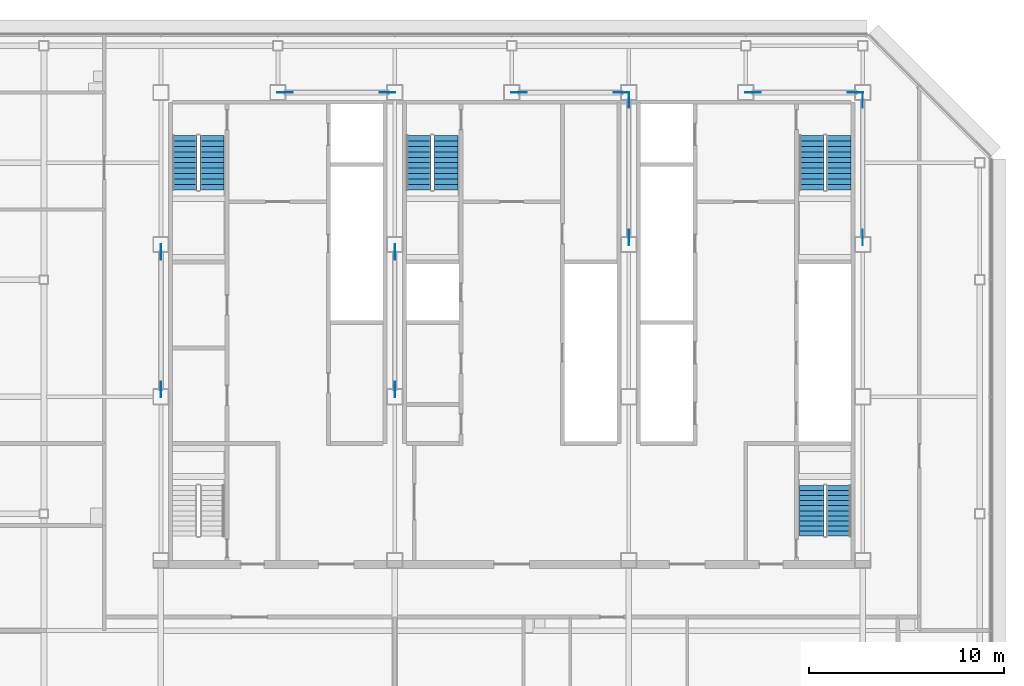
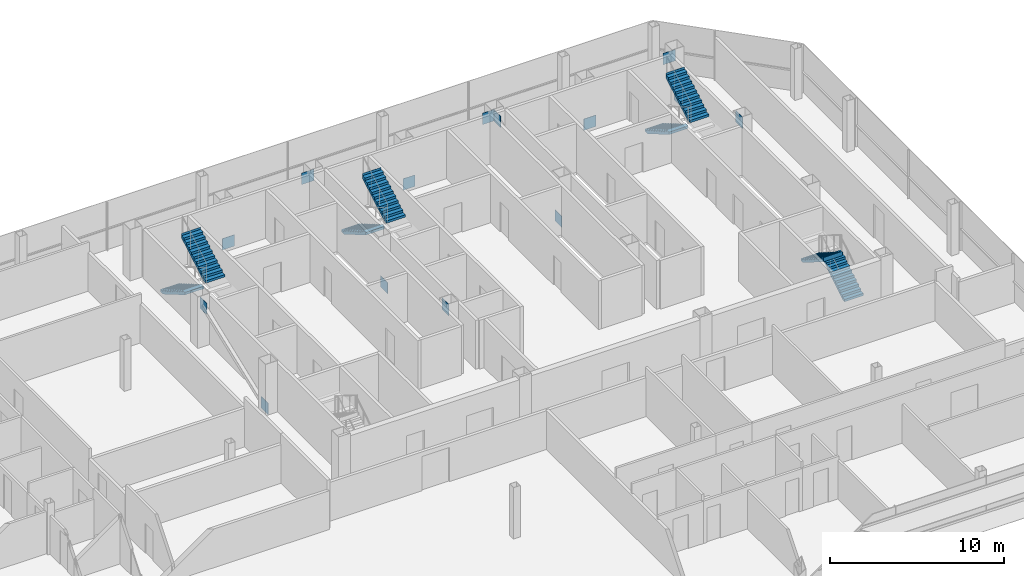
# One storey, part 27 of 31: 14 discrete accessories, 8 stair flights, 4 elements without a shape of their own.
"""IFC4 building model written with IfcOpenShell, lengths in metres."""

import ifcopenshell
import ifcopenshell.guid

model = None  # the IFC model being written
_history = None  # IfcOwnerHistory: only IFC2X3 demands one
_inside = {}  # id of a spatial element -> (the spatial element, [elements in it])
_under = {}  # id of a project, library or spatial element -> (it, [spatial elements below it])
_declared = {}  # id of a project -> (the project, [libraries it declares])
_typed = {}  # id of a type object -> (the type object, [elements of that type])
_made_of = {}  # id of a material, layer set ... -> (it, [elements and type objects made of it])


def new_model(schema):
    """Start an empty IFC model of exactly this schema.

    Asked for "IFC4X3", IfcOpenShell would pick the latest addendum, in which some entities
    have other attributes; the version numbers below select the first issue.
    IFC2X3 requires an IfcOwnerHistory on every rooted entity: one is made here for all.
    """
    global model, _history
    if schema == "IFC4X3":
        model = ifcopenshell.file(schema_version=(4, 3, 0, 0))
    else:
        model = ifcopenshell.file(schema=schema)
    _inside.clear()
    _under.clear()
    _declared.clear()
    _typed.clear()
    _made_of.clear()
    _history = None
    if model.schema == "IFC2X3":
        org = make("IfcOrganization", Name="unknown")
        user = make(
            "IfcPersonAndOrganization",
            ThePerson=make("IfcPerson", FamilyName="unknown"),
            TheOrganization=org,
        )
        app = make(
            "IfcApplication",
            ApplicationDeveloper=org,
            Version="unknown",
            ApplicationFullName="unknown",
            ApplicationIdentifier="unknown",
        )
        _history = make(
            "IfcOwnerHistory",
            OwningUser=user,
            OwningApplication=app,
            ChangeAction="ADDED",
            CreationDate=0,
        )
    return model


def make(cls, **values):
    """One entity of the class cls with the attributes given. An attribute that is None is left unset."""
    return model.create_entity(
        cls, **{name: value for name, value in values.items() if value is not None}
    )


def rooted(cls, **values):
    """An entity with a GlobalId (a new one), such as an element, a storey or a relation."""
    return make(cls, GlobalId=ifcopenshell.guid.new(), OwnerHistory=_history, **values)


def si_unit(unit_type, name, prefix=None):
    """IfcSIUnit, for example si_unit("LENGTHUNIT", "METRE", prefix="MILLI")."""
    return make("IfcSIUnit", UnitType=unit_type, Prefix=prefix, Name=name)


def assignment(units):
    """IfcUnitAssignment: the units of a project."""
    return None if units is None else make("IfcUnitAssignment", Units=units)


def point(xyz):
    """IfcCartesianPoint."""
    return None if xyz is None else make("IfcCartesianPoint", Coordinates=xyz)


def direction(xyz):
    """IfcDirection."""
    return None if xyz is None else make("IfcDirection", DirectionRatios=xyz)


def frame(location, z_axis=None, x_axis=None):
    """IfcAxis2Placement3D, a coordinate frame: its origin and axes. An axis left out is left unset."""
    return make(
        "IfcAxis2Placement3D",
        Location=point(location),
        Axis=direction(z_axis),
        RefDirection=direction(x_axis),
    )


def frame_2d(location, x_axis=None):
    """IfcAxis2Placement2D, a coordinate frame in the plane: its origin and x axis."""
    return make(
        "IfcAxis2Placement2D", Location=point(location), RefDirection=direction(x_axis)
    )


def origin():
    """The frame at (0, 0, 0) with its axes left unset."""
    return frame((0.0, 0.0, 0.0))


def origin_2d():
    """The frame at (0, 0) in the plane with its x axis left unset."""
    return frame_2d((0.0, 0.0))


def place(relative_to, where):
    """IfcLocalPlacement: puts the frame where relative to a parent placement (None: the world)."""
    return make(
        "IfcLocalPlacement", PlacementRelTo=relative_to, RelativePlacement=where
    )


def context(
    kind, dimensions, precision=None, world=None, true_north=None, identifier=None
):
    """IfcGeometricRepresentationContext, for example the 3D "Model" context."""
    return make(
        "IfcGeometricRepresentationContext",
        ContextIdentifier=identifier,
        ContextType=kind,
        CoordinateSpaceDimension=dimensions,
        Precision=precision,
        WorldCoordinateSystem=world,
        TrueNorth=true_north,
    )


def subcontext(parent, identifier, kind, view, scale=None):
    """IfcGeometricRepresentationSubContext, for example "Body" below "Model"."""
    return make(
        "IfcGeometricRepresentationSubContext",
        ContextIdentifier=identifier,
        ContextType=kind,
        ParentContext=parent,
        TargetScale=scale,
        TargetView=view,
    )


def project(units=None, contexts=None):
    """IfcProject with its units and contexts."""
    return rooted(
        "IfcProject",
        Name="project",
        RepresentationContexts=contexts,
        UnitsInContext=assignment(units),
    )


def spatial(cls, under=None, at=None, **own):
    """A site, building, storey or space (cls), placed at a placement, below another one or the project."""
    s = rooted(cls, ObjectPlacement=at, **own)
    if under is not None:
        _under.setdefault(under.id(), (under, []))[1].append(s)
    return s


def polyline(points):
    """IfcPolyline through the points."""
    return make("IfcPolyline", Points=[point(p) for p in points])


def profile(cls, at=None, kind="AREA", **sizes):
    """A parametric profile (cls). Its sizes go by their IFC names, for example OverallWidth=200.0."""
    return make(cls, ProfileType=kind, Position=at, **sizes)


def rectangle(**sizes):
    """IfcRectangleProfileDef."""
    return profile("IfcRectangleProfileDef", **sizes)


def outline(outer, holes=None, kind="AREA"):
    """IfcArbitraryClosedProfileDef: a profile drawn as a closed curve; with holes, ...WithVoids."""
    if holes is None:
        return make("IfcArbitraryClosedProfileDef", ProfileType=kind, OuterCurve=outer)
    return make(
        "IfcArbitraryProfileDefWithVoids",
        ProfileType=kind,
        OuterCurve=outer,
        InnerCurves=holes,
    )


def extrude(swept, where, along, depth):
    """IfcExtrudedAreaSolid: the profile swept, set in the frame where, extruded along a direction by depth."""
    return make(
        "IfcExtrudedAreaSolid",
        SweptArea=swept,
        Position=where,
        ExtrudedDirection=direction(along),
        Depth=depth,
    )


def shape(context_of_items, identifier, shape_type, items):
    """IfcShapeRepresentation: the items that make up one representation, for example the "Body"."""
    return make(
        "IfcShapeRepresentation",
        ContextOfItems=context_of_items,
        RepresentationIdentifier=identifier,
        RepresentationType=shape_type,
        Items=items,
    )


def material(Name=None, Category=None):
    """IfcMaterial."""
    return make("IfcMaterial", Name=Name, Category=Category)


def layer(
    of_material, thickness, ventilated=None, Name=None, Category=None, Priority=None
):
    """IfcMaterialLayer: one layer of a wall or slab, of a material (None: an air gap)."""
    return make(
        "IfcMaterialLayer",
        Material=of_material,
        LayerThickness=thickness,
        IsVentilated=ventilated,
        Name=Name,
        Category=Category,
        Priority=Priority,
    )


def layer_set(layers, Name=None):
    """IfcMaterialLayerSet."""
    return make("IfcMaterialLayerSet", MaterialLayers=layers, LayerSetName=Name)


def made_of(thing, what):
    """Note that an element or type object is made of a material, layer set ...; save() writes the relation."""
    if what is not None:
        _made_of.setdefault(what.id(), (what, []))[1].append(thing)
    return thing


def type_object(cls, material=None, **own):
    """A type object (cls), such as IfcWallType, which elements share."""
    return made_of(rooted(cls, **own), material)


def element(
    cls,
    number,
    at=None,
    inside=None,
    cuts=None,
    type_object=None,
    material=None,
    context=None,
    identifier="Body",
    shape_type=None,
    held_by="IfcProductDefinitionShape",
    body=None,
    shapes=None,
    **own,
):
    """One element of the class cls, such as IfcWall. Its Tag is "e" and its number.

    at: its placement. inside: the storey or other place that contains it. cuts: it is an
    opening in that element (IfcRelVoidsElement). A single representation is given by context,
    identifier, shape_type and body (its items); several are given by shapes. held_by: the class
    of the entity that holds the representations. save() writes the other relations.
    """
    e = rooted(cls, Tag="e%d" % number, ObjectPlacement=at, **own)
    if body is not None:
        shapes = [shape(context, identifier, shape_type, body)]
    if shapes is not None:
        e.Representation = make(held_by, Representations=shapes)
    if inside is not None:
        _inside.setdefault(inside.id(), (inside, []))[1].append(e)
    if cuts is not None:
        rooted(
            "IfcRelVoidsElement", RelatingBuildingElement=cuts, RelatedOpeningElement=e
        )
    if type_object is not None:
        _typed.setdefault(type_object.id(), (type_object, []))[1].append(e)
    return made_of(e, material)


def aggregate(whole, parts):
    """IfcRelAggregates: a whole, such as a stair, and the parts it consists of."""
    return rooted("IfcRelAggregates", RelatingObject=whole, RelatedObjects=parts)


def save(model, path):
    """Write the relations noted so far, then the file.

    IfcRelAggregates (storeys below a building ...), IfcRelContainedInSpatialStructure (elements
    in a storey), IfcRelDefinesByType, IfcRelAssociatesMaterial and IfcRelDeclares: one each for
    every whole, place, type object, material and project.
    """
    for whole, parts in _under.values():
        aggregate(whole, parts)
    for where, things in _inside.values():
        rooted(
            "IfcRelContainedInSpatialStructure",
            RelatedElements=things,
            RelatingStructure=where,
        )
    for kind, things in _typed.values():
        rooted("IfcRelDefinesByType", RelatedObjects=things, RelatingType=kind)
    for what, things in _made_of.values():
        rooted("IfcRelAssociatesMaterial", RelatedObjects=things, RelatingMaterial=what)
    for by, libraries in _declared.values():
        rooted("IfcRelDeclares", RelatingContext=by, RelatedDefinitions=libraries)
    model.write(path)


model = new_model("IFC4")

# Units and contexts
model_context = context("Model", 3, precision=1e-05, world=origin(), true_north=direction((0.0, 1.0)))
body_context = subcontext(model_context, "Body", "Model", "MODEL_VIEW")
ifc_project = project(units=[si_unit("LENGTHUNIT", "METRE"), si_unit("AREAUNIT", "SQUARE_METRE"), si_unit("VOLUMEUNIT", "CUBIC_METRE"), si_unit("PLANEANGLEUNIT", "RADIAN"), si_unit("MASSUNIT", "GRAM", prefix="KILO")], contexts=[model_context])

# Site, building, storey
site_placement = place(None, origin())
site = spatial("IfcSite", under=ifc_project, at=site_placement, CompositionType="ELEMENT")
building_placement = place(site_placement, origin())
building = spatial("IfcBuilding", under=site, at=building_placement, Name="Sorahane Residences", CompositionType="ELEMENT")
storey_placement = place(building_placement, frame((0.0, 0.0, 319.60009765625)))
storey = spatial("IfcBuildingStorey", under=building, at=storey_placement, Name="L76", CompositionType="ELEMENT", Elevation=319.60009765625)

# Stair, stair flights
ifc_material_1 = material(Name="Concrete C40", Category="concrete")
stair_type = type_object("IfcStairType", Name="Dog-leg stair 1250 Concrete C40", PredefinedType="HALF_TURN_STAIR", material=ifc_material_1)
stair_1_placement = place(storey_placement, origin())
stair_1 = element("IfcStair", 1, at=stair_1_placement, inside=storey, type_object=stair_type, Name="L76 Stair S1", PredefinedType="HALF_TURN_STAIR")
ifc_material_2 = material(Name="Concrete C40", Category="concrete")
stair_flight_type = type_object("IfcStairFlightType", Name="Stair flight 1250 Concrete C40", PredefinedType="STRAIGHT", material=ifc_material_2)
stair_flight_1_placement = place(storey_placement, frame((7.22509765625, 43.39990234375, 0.0), z_axis=(0.0, 0.0, 1.0), x_axis=(0.0, -1.0, 0.0)))
stair_flight_1 = element("IfcStairFlight", 2, at=stair_flight_1_placement, type_object=stair_flight_type, Name="S1 flight 1", NumberOfRisers=11, NumberOfTreads=10, PredefinedType="STRAIGHT", RiserHeight=0.163636364, TreadLength=0.28, context=body_context, shape_type="SweptSolid", body=[
    extrude(outline(polyline([(-0.00146484375, 0.0), (-0.00146484375, 0.16357421875), (0.0, 0.16357421875), (0.280029296875, 0.16357421875), (0.280029296875, 0.327392578125), (0.56005859375, 0.327392578125), (0.56005859375, 0.490966796875), (0.840087890625, 0.490966796875), (0.840087890625, 0.654541015625), (1.1201171875, 0.654541015625), (1.1201171875, 0.818115234375), (1.39990234375, 0.818115234375), (1.39990234375, 0.98193359375), (1.679931640625, 0.98193359375), (1.679931640625, 1.1455078125), (1.9599609375, 1.1455078125), (1.9599609375, 1.30908203125), (2.239990234375, 1.30908203125), (2.239990234375, 1.47265625), (2.52001953125, 1.47265625), (2.52001953125, 1.636474609375), (2.800048828125, 1.636474609375), (2.800048828125, 1.800048828125), (2.800048828125, 1.462646484375), (2.59130859375, 1.3408203125), (2.3828125, 1.218994140625), (2.17431640625, 1.09716796875), (1.965576171875, 0.97509765625), (1.757080078125, 0.853271484375), (1.548583984375, 0.7314453125), (1.340087890625, 0.609375), (1.13134765625, 0.487548828125), (0.9228515625, 0.36572265625), (0.71435546875, 0.243896484375), (0.505615234375, 0.121826171875), (0.297119140625, 0.0), (-0.00146484375, 0.0)])), frame((0.0, 0.625, 0.0), z_axis=(0.0, -1.0, 0.0), x_axis=(1.0, 0.0, 0.0)), (0.0, 0.0, 1.0), 1.25),
])
stair_flight_2_placement = place(storey_placement, frame((8.625, 40.60009765625, 1.7998046875), z_axis=(0.0, 0.0, 1.0), x_axis=(0.0, 1.0, 0.0)))
stair_flight_2 = element("IfcStairFlight", 3, at=stair_flight_2_placement, type_object=stair_flight_type, Name="S1 flight 2", NumberOfRisers=11, NumberOfTreads=10, PredefinedType="STRAIGHT", RiserHeight=0.163636364, TreadLength=0.28, context=body_context, shape_type="SweptSolid", body=[
    extrude(outline(polyline([(0.0, 0.0), (0.0, 0.16357421875), (0.280029296875, 0.16357421875), (0.280029296875, 0.327392578125), (0.56005859375, 0.327392578125), (0.56005859375, 0.490966796875), (0.840087890625, 0.490966796875), (0.840087890625, 0.654541015625), (1.1201171875, 0.654541015625), (1.1201171875, 0.818115234375), (1.39990234375, 0.818115234375), (1.39990234375, 0.98193359375), (1.679931640625, 0.98193359375), (1.679931640625, 1.1455078125), (1.9599609375, 1.1455078125), (1.9599609375, 1.30908203125), (2.239990234375, 1.30908203125), (2.239990234375, 1.47265625), (2.52001953125, 1.47265625), (2.52001953125, 1.636474609375), (2.800048828125, 1.636474609375), (2.800048828125, 1.800048828125), (2.801513671875, 1.800048828125), (2.801513671875, 1.462646484375), (2.5927734375, 1.3408203125), (2.384033203125, 1.218994140625), (2.17529296875, 1.09716796875), (1.966796875, 0.97509765625), (1.758056640625, 0.853271484375), (1.54931640625, 0.7314453125), (1.340576171875, 0.609375), (1.1318359375, 0.487548828125), (0.923095703125, 0.36572265625), (0.714599609375, 0.243896484375), (0.505859375, 0.121826171875), (0.297119140625, 0.0), (0.0, 0.0)])), frame((0.0, 0.625, 0.0), z_axis=(0.0, -1.0, 0.0), x_axis=(1.0, 0.0, 0.0)), (0.0, 0.0, 1.0), 1.25),
])
aggregate(stair_1, [stair_flight_1, stair_flight_2])

stair_2_placement = place(storey_placement, origin())
stair_2 = element("IfcStair", 4, at=stair_2_placement, inside=storey, type_object=stair_type, Name="L76 Stair S2", PredefinedType="HALF_TURN_STAIR")
stair_flight_3_placement = place(storey_placement, frame((39.375, 43.39990234375, 0.0), z_axis=(0.0, 0.0, 1.0), x_axis=(0.0, -1.0, 0.0)))
stair_flight_3 = element("IfcStairFlight", 5, at=stair_flight_3_placement, type_object=stair_flight_type, Name="S2 flight 1", NumberOfRisers=11, NumberOfTreads=10, PredefinedType="STRAIGHT", RiserHeight=0.163636364, TreadLength=0.28, context=body_context, shape_type="SweptSolid", body=[
    extrude(outline(polyline([(-0.00146484375, 0.0), (-0.00146484375, 0.16357421875), (0.0, 0.16357421875), (0.280029296875, 0.16357421875), (0.280029296875, 0.327392578125), (0.56005859375, 0.327392578125), (0.56005859375, 0.490966796875), (0.840087890625, 0.490966796875), (0.840087890625, 0.654541015625), (1.1201171875, 0.654541015625), (1.1201171875, 0.818115234375), (1.39990234375, 0.818115234375), (1.39990234375, 0.98193359375), (1.679931640625, 0.98193359375), (1.679931640625, 1.1455078125), (1.9599609375, 1.1455078125), (1.9599609375, 1.30908203125), (2.239990234375, 1.30908203125), (2.239990234375, 1.47265625), (2.52001953125, 1.47265625), (2.52001953125, 1.636474609375), (2.800048828125, 1.636474609375), (2.800048828125, 1.800048828125), (2.800048828125, 1.462646484375), (2.59130859375, 1.3408203125), (2.3828125, 1.218994140625), (2.17431640625, 1.09716796875), (1.965576171875, 0.97509765625), (1.757080078125, 0.853271484375), (1.548583984375, 0.7314453125), (1.340087890625, 0.609375), (1.13134765625, 0.487548828125), (0.9228515625, 0.36572265625), (0.71435546875, 0.243896484375), (0.505615234375, 0.121826171875), (0.297119140625, 0.0), (-0.00146484375, 0.0)])), frame((0.0, 0.625, 0.0), z_axis=(0.0, -1.0, 0.0), x_axis=(1.0, 0.0, 0.0)), (0.0, 0.0, 1.0), 1.25),
])
stair_flight_4_placement = place(storey_placement, frame((40.77490234375, 40.60009765625, 1.7998046875), z_axis=(0.0, 0.0, 1.0), x_axis=(0.0, 1.0, 0.0)))
stair_flight_4 = element("IfcStairFlight", 6, at=stair_flight_4_placement, type_object=stair_flight_type, Name="S2 flight 2", NumberOfRisers=11, NumberOfTreads=10, PredefinedType="STRAIGHT", RiserHeight=0.163636364, TreadLength=0.28, context=body_context, shape_type="SweptSolid", body=[
    extrude(outline(polyline([(0.0, 0.0), (0.0, 0.16357421875), (0.280029296875, 0.16357421875), (0.280029296875, 0.327392578125), (0.56005859375, 0.327392578125), (0.56005859375, 0.490966796875), (0.840087890625, 0.490966796875), (0.840087890625, 0.654541015625), (1.1201171875, 0.654541015625), (1.1201171875, 0.818115234375), (1.39990234375, 0.818115234375), (1.39990234375, 0.98193359375), (1.679931640625, 0.98193359375), (1.679931640625, 1.1455078125), (1.9599609375, 1.1455078125), (1.9599609375, 1.30908203125), (2.239990234375, 1.30908203125), (2.239990234375, 1.47265625), (2.52001953125, 1.47265625), (2.52001953125, 1.636474609375), (2.800048828125, 1.636474609375), (2.800048828125, 1.800048828125), (2.801513671875, 1.800048828125), (2.801513671875, 1.462646484375), (2.5927734375, 1.3408203125), (2.384033203125, 1.218994140625), (2.17529296875, 1.09716796875), (1.966796875, 0.97509765625), (1.758056640625, 0.853271484375), (1.54931640625, 0.7314453125), (1.340576171875, 0.609375), (1.1318359375, 0.487548828125), (0.923095703125, 0.36572265625), (0.714599609375, 0.243896484375), (0.505859375, 0.121826171875), (0.297119140625, 0.0), (0.0, 0.0)])), frame((0.0, 0.625, 0.0), z_axis=(0.0, -1.0, 0.0), x_axis=(1.0, 0.0, 0.0)), (0.0, 0.0, 1.0), 1.25),
])
aggregate(stair_2, [stair_flight_3, stair_flight_4])

stair_3_placement = place(storey_placement, origin())
stair_3 = element("IfcStair", 7, at=stair_3_placement, inside=storey, type_object=stair_type, Name="L76 Stair S3", PredefinedType="HALF_TURN_STAIR")
stair_flight_5_placement = place(storey_placement, frame((19.22509765625, 43.39990234375, 0.0), z_axis=(0.0, 0.0, 1.0), x_axis=(0.0, -1.0, 0.0)))
stair_flight_5 = element("IfcStairFlight", 8, at=stair_flight_5_placement, type_object=stair_flight_type, Name="S3 flight 1", NumberOfRisers=11, NumberOfTreads=10, PredefinedType="STRAIGHT", RiserHeight=0.163636364, TreadLength=0.28, context=body_context, shape_type="SweptSolid", body=[
    extrude(outline(polyline([(-0.00146484375, 0.0), (-0.00146484375, 0.16357421875), (0.0, 0.16357421875), (0.280029296875, 0.16357421875), (0.280029296875, 0.327392578125), (0.56005859375, 0.327392578125), (0.56005859375, 0.490966796875), (0.840087890625, 0.490966796875), (0.840087890625, 0.654541015625), (1.1201171875, 0.654541015625), (1.1201171875, 0.818115234375), (1.39990234375, 0.818115234375), (1.39990234375, 0.98193359375), (1.679931640625, 0.98193359375), (1.679931640625, 1.1455078125), (1.9599609375, 1.1455078125), (1.9599609375, 1.30908203125), (2.239990234375, 1.30908203125), (2.239990234375, 1.47265625), (2.52001953125, 1.47265625), (2.52001953125, 1.636474609375), (2.800048828125, 1.636474609375), (2.800048828125, 1.800048828125), (2.800048828125, 1.462646484375), (2.59130859375, 1.3408203125), (2.3828125, 1.218994140625), (2.17431640625, 1.09716796875), (1.965576171875, 0.97509765625), (1.757080078125, 0.853271484375), (1.548583984375, 0.7314453125), (1.340087890625, 0.609375), (1.13134765625, 0.487548828125), (0.9228515625, 0.36572265625), (0.71435546875, 0.243896484375), (0.505615234375, 0.121826171875), (0.297119140625, 0.0), (-0.00146484375, 0.0)])), frame((0.0, 0.625, 0.0), z_axis=(0.0, -1.0, 0.0), x_axis=(1.0, 0.0, 0.0)), (0.0, 0.0, 1.0), 1.25),
])
stair_flight_6_placement = place(storey_placement, frame((20.625, 40.60009765625, 1.7998046875), z_axis=(0.0, 0.0, 1.0), x_axis=(0.0, 1.0, 0.0)))
stair_flight_6 = element("IfcStairFlight", 9, at=stair_flight_6_placement, type_object=stair_flight_type, Name="S3 flight 2", NumberOfRisers=11, NumberOfTreads=10, PredefinedType="STRAIGHT", RiserHeight=0.163636364, TreadLength=0.28, context=body_context, shape_type="SweptSolid", body=[
    extrude(outline(polyline([(0.0, 0.0), (0.0, 0.16357421875), (0.280029296875, 0.16357421875), (0.280029296875, 0.327392578125), (0.56005859375, 0.327392578125), (0.56005859375, 0.490966796875), (0.840087890625, 0.490966796875), (0.840087890625, 0.654541015625), (1.1201171875, 0.654541015625), (1.1201171875, 0.818115234375), (1.39990234375, 0.818115234375), (1.39990234375, 0.98193359375), (1.679931640625, 0.98193359375), (1.679931640625, 1.1455078125), (1.9599609375, 1.1455078125), (1.9599609375, 1.30908203125), (2.239990234375, 1.30908203125), (2.239990234375, 1.47265625), (2.52001953125, 1.47265625), (2.52001953125, 1.636474609375), (2.800048828125, 1.636474609375), (2.800048828125, 1.800048828125), (2.801513671875, 1.800048828125), (2.801513671875, 1.462646484375), (2.5927734375, 1.3408203125), (2.384033203125, 1.218994140625), (2.17529296875, 1.09716796875), (1.966796875, 0.97509765625), (1.758056640625, 0.853271484375), (1.54931640625, 0.7314453125), (1.340576171875, 0.609375), (1.1318359375, 0.487548828125), (0.923095703125, 0.36572265625), (0.714599609375, 0.243896484375), (0.505859375, 0.121826171875), (0.297119140625, 0.0), (0.0, 0.0)])), frame((0.0, 0.625, 0.0), z_axis=(0.0, -1.0, 0.0), x_axis=(1.0, 0.0, 0.0)), (0.0, 0.0, 1.0), 1.25),
])
aggregate(stair_3, [stair_flight_5, stair_flight_6])

stair_4_placement = place(storey_placement, origin())
stair_4 = element("IfcStair", 10, at=stair_4_placement, inside=storey, type_object=stair_type, Name="L76 Stair S5", PredefinedType="HALF_TURN_STAIR")
stair_flight_7_placement = place(storey_placement, frame((40.77490234375, 22.85009765625, 0.0), z_axis=(0.0, 0.0, 1.0), x_axis=(0.0, 1.0, 0.0)))
stair_flight_7 = element("IfcStairFlight", 11, at=stair_flight_7_placement, type_object=stair_flight_type, Name="S5 flight 1", NumberOfRisers=11, NumberOfTreads=10, PredefinedType="STRAIGHT", RiserHeight=0.163636364, TreadLength=0.26, context=body_context, shape_type="SweptSolid", body=[
    extrude(outline(polyline([(-0.00146484375, 0.0), (-0.00146484375, 0.16357421875), (0.0, 0.16357421875), (0.260009765625, 0.16357421875), (0.260009765625, 0.327392578125), (0.52001953125, 0.327392578125), (0.52001953125, 0.490966796875), (0.780029296875, 0.490966796875), (0.780029296875, 0.654541015625), (1.0400390625, 0.654541015625), (1.0400390625, 0.818115234375), (1.300048828125, 0.818115234375), (1.300048828125, 0.98193359375), (1.56005859375, 0.98193359375), (1.56005859375, 1.1455078125), (1.820068359375, 1.1455078125), (1.820068359375, 1.30908203125), (2.080078125, 1.30908203125), (2.080078125, 1.47265625), (2.340087890625, 1.47265625), (2.340087890625, 1.636474609375), (2.60009765625, 1.636474609375), (2.60009765625, 1.800048828125), (2.60009765625, 1.494384765625), (2.402099609375, 1.369873046875), (2.204345703125, 1.245361328125), (2.00634765625, 1.120849609375), (1.80859375, 0.996337890625), (1.610595703125, 0.871826171875), (1.412841796875, 0.747314453125), (1.21484375, 0.622802734375), (1.01708984375, 0.498046875), (0.819091796875, 0.37353515625), (0.621337890625, 0.2490234375), (0.42333984375, 0.12451171875), (0.2255859375, 0.0), (-0.00146484375, 0.0)])), frame((0.0, 0.625, 0.0), z_axis=(0.0, -1.0, 0.0), x_axis=(1.0, 0.0, 0.0)), (0.0, 0.0, 1.0), 1.25),
])
stair_flight_8_placement = place(storey_placement, frame((39.375, 25.449951171875, 1.7998046875), z_axis=(0.0, 0.0, 1.0), x_axis=(0.0, -1.0, 0.0)))
stair_flight_8 = element("IfcStairFlight", 12, at=stair_flight_8_placement, type_object=stair_flight_type, Name="S5 flight 2", NumberOfRisers=11, NumberOfTreads=10, PredefinedType="STRAIGHT", RiserHeight=0.163636364, TreadLength=0.26, context=body_context, shape_type="SweptSolid", body=[
    extrude(outline(polyline([(0.0, 0.0), (0.0, 0.16357421875), (0.260009765625, 0.16357421875), (0.260009765625, 0.327392578125), (0.52001953125, 0.327392578125), (0.52001953125, 0.490966796875), (0.780029296875, 0.490966796875), (0.780029296875, 0.654541015625), (1.0400390625, 0.654541015625), (1.0400390625, 0.818115234375), (1.300048828125, 0.818115234375), (1.300048828125, 0.98193359375), (1.56005859375, 0.98193359375), (1.56005859375, 1.1455078125), (1.820068359375, 1.1455078125), (1.820068359375, 1.30908203125), (2.080078125, 1.30908203125), (2.080078125, 1.47265625), (2.340087890625, 1.47265625), (2.340087890625, 1.636474609375), (2.60009765625, 1.636474609375), (2.60009765625, 1.800048828125), (2.6015625, 1.800048828125), (2.6015625, 1.494384765625), (2.403564453125, 1.369873046875), (2.20556640625, 1.245361328125), (2.007568359375, 1.120849609375), (1.8095703125, 0.996337890625), (1.611572265625, 0.871826171875), (1.41357421875, 0.747314453125), (1.215576171875, 0.622802734375), (1.017578125, 0.498046875), (0.819580078125, 0.37353515625), (0.62158203125, 0.2490234375), (0.423583984375, 0.12451171875), (0.2255859375, 0.0), (0.0, 0.0)])), frame((0.0, 0.625, 0.0), z_axis=(0.0, -1.0, 0.0), x_axis=(1.0, 0.0, 0.0)), (0.0, 0.0, 1.0), 1.25),
])
aggregate(stair_4, [stair_flight_7, stair_flight_8])

# Discrete accessories
ifc_material_3 = material(Name="Steel Q355B", Category="steel")
ifc_layer = layer(ifc_material_3, 0.02490234375)
ifc_layer_set = layer_set([ifc_layer], Name="Node plate Steel Q355B 25")
discrete_accessory_type = type_object("IfcDiscreteAccessoryType", Name="Node plate Steel Q355B 25", PredefinedType="BRACKET", material=ifc_layer_set)
for number, where, z_axis, x_axis, name in (
    (13, (6.0, 30.372802734375, -0.28564453125), (0.0, 0.0, 1.0), (0.0, 1.0, 0.0), "Node plate L76 br"),
    (14, (6.0, 37.42724609375, 2.45556640625), (0.0, 0.0, 1.0), (0.0, 1.0, 0.0), "Node plate L76 br"),
    (15, (18.0, 37.42724609375, -0.28564453125), (0.0, 0.0, 1.0), (0.0, 1.0, 0.0), "Node plate L76 br"),
    (16, (18.0, 30.372802734375, 2.45556640625), (0.0, 0.0, 1.0), (0.0, 1.0, 0.0), "Node plate L76 br"),
    (17, (30.0, 38.1728515625, -0.28564453125), (0.0, 0.0, 1.0), (0.0, 1.0, 0.0), "Node plate L76 br"),
    (18, (30.0, 45.227294921875, 2.45556640625), (0.0, 0.0, 1.0), (0.0, 1.0, 0.0), "Node plate L76 br"),
    (19, (42.0, 45.227294921875, -0.28564453125), (0.0, 0.0, 1.0), (0.0, 1.0, 0.0), "Node plate L76 br"),
    (20, (42.0, 38.1728515625, 2.45556640625), (0.0, 0.0, 1.0), (0.0, 1.0, 0.0), "Node plate L76 br"),
    (21, (12.365234375, 45.60009765625, -0.29345703125), (0.0, 0.0, 1.0), (1.0, 0.0, 0.0), "Node plate L76 br"),
    (22, (24.365234375, 45.60009765625, -0.29345703125), (0.0, 0.0, 1.0), (1.0, 0.0, 0.0), "Node plate L76 br"),
    (23, (36.365234375, 45.60009765625, -0.29345703125), (0.0, 0.0, 1.0), (1.0, 0.0, 0.0), "Node plate L76 br"),
    (24, (17.634765625, 45.60009765625, 2.462890625), (0.0, 0.0, 1.0), (1.0, 0.0, 0.0), "Node plate L76 br"),
    (25, (29.634765625, 45.60009765625, 2.462890625), (0.0, 0.0, 1.0), (1.0, 0.0, 0.0), "Node plate L76 br"),
    (26, (41.634765625, 45.60009765625, 2.462890625), (0.0, 0.0, 1.0), (1.0, 0.0, 0.0), "Node plate L76 br"),
):
    element("IfcDiscreteAccessory", number, at=place(storey_placement, frame(where, z_axis=z_axis, x_axis=x_axis)), inside=storey, type_object=discrete_accessory_type, Name=name, PredefinedType="BRACKET", context=body_context, shape_type="SweptSolid", body=[
        extrude(rectangle(XDim=0.800048828125, YDim=0.02490234375, at=origin_2d()), origin(), (0.0, 0.0, 1.0), 0.800048828125),
    ])

save(model, "model.ifc")
